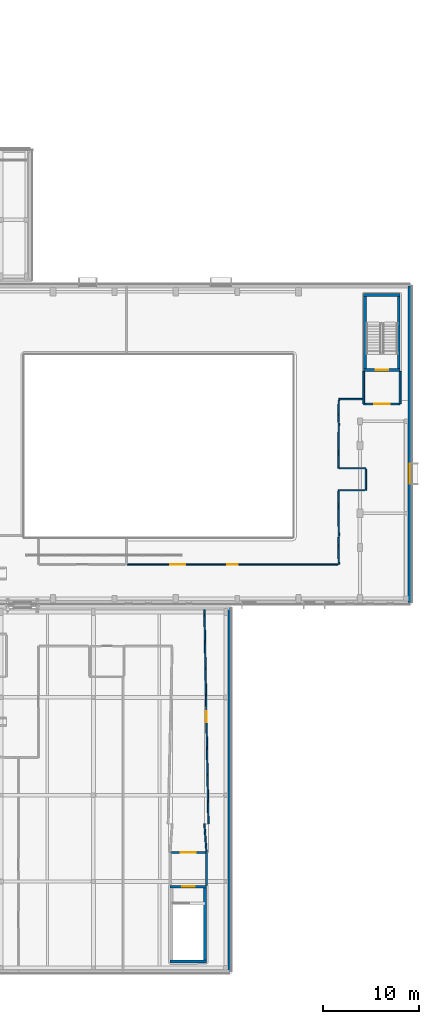
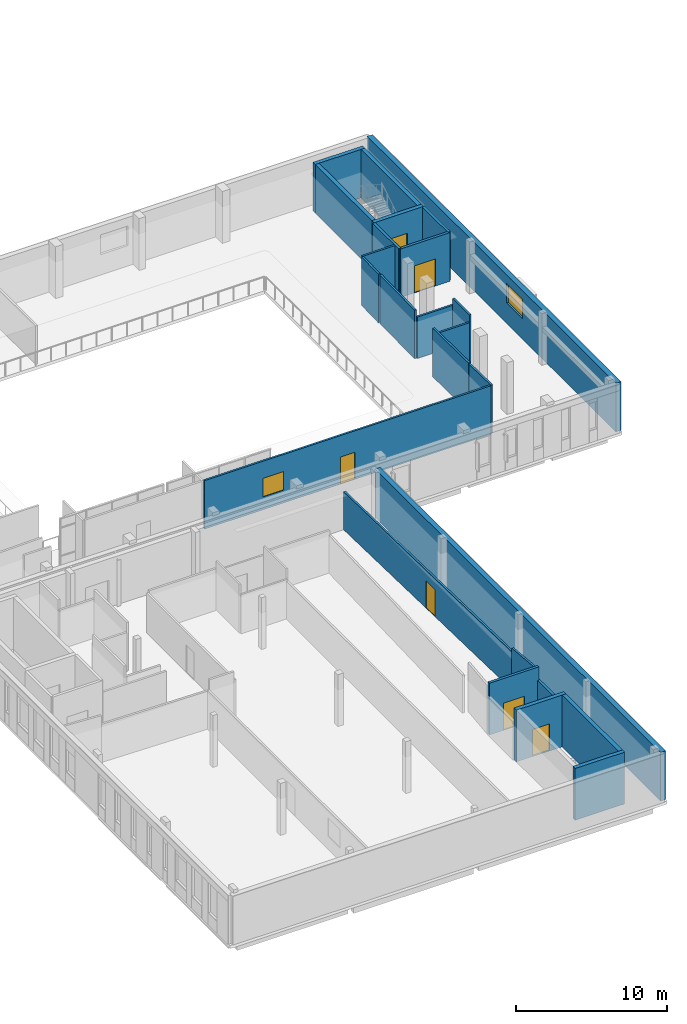
# One storey, part 55 of 84: 25 walls, 6 doors, 2 windows, 8 openings.
"""IFC4 building model written with IfcOpenShell, lengths in metres."""

from ifc_helpers import new_model, si_unit, direction, frame, frame_2d, origin, place, context, subcontext, project, spatial, rectangle, extrude, material, layer, layer_set, type_object, element, fill, save


model = new_model("IFC4")

# Units and contexts
model_context = context("Model", 3, precision=1e-05, world=origin(), true_north=direction((0.0, 1.0)))
body_context = subcontext(model_context, "Body", "Model", "MODEL_VIEW")
ifc_project = project(units=[si_unit("LENGTHUNIT", "METRE"), si_unit("AREAUNIT", "SQUARE_METRE"), si_unit("VOLUMEUNIT", "CUBIC_METRE"), si_unit("PLANEANGLEUNIT", "RADIAN"), si_unit("MASSUNIT", "GRAM", prefix="KILO")], contexts=[model_context])

# Site, building, storey
site_placement = place(None, origin())
site = spatial("IfcSite", under=ifc_project, at=site_placement, CompositionType="ELEMENT")
building_placement = place(site_placement, origin())
building = spatial("IfcBuilding", under=site, at=building_placement, Name="Mzevani Central Library", CompositionType="ELEMENT")
storey_placement = place(building_placement, frame((0.0, 0.0, 5.39990234375)))
storey = spatial("IfcBuildingStorey", under=building, at=storey_placement, Name="L01", CompositionType="ELEMENT", Elevation=5.39990234375)

# Wall
ifc_material_1 = material(Name="Concrete C35/45", Category="concrete")
ifc_layer_1 = layer(ifc_material_1, 0.199951171875, Name="Compartment Wall 200")
ifc_layer_set_1 = layer_set([ifc_layer_1], Name="Concrete C35/45")
wall_type_1 = type_object("IfcWallType", Name="Compartment Wall 200", PredefinedType="STANDARD", material=ifc_layer_set_1)
wall_1_placement = place(storey_placement, frame((159.39990234375, 66.800048828125, 0.0), z_axis=(0.0, 0.0, 1.0), x_axis=(0.0, -1.0, 0.0)))
element("IfcWall", 1, at=wall_1_placement, inside=storey, type_object=wall_type_1, Name="L01 Stair Vestibule C1B Enclosure Wall 1", PredefinedType="STANDARD", context=body_context, shape_type="SweptSolid", body=[
    extrude(rectangle(XDim=3.400146484375, YDim=0.199951171875, at=frame_2d((1.7001953125, 0.0))), origin(), (0.0, 0.0, 1.0), 3.940185546875),
])

# Wall, opening, door
wall_2_placement = place(storey_placement, frame((159.39990234375, 63.39990234375, 0.0), z_axis=(0.0, 0.0, 1.0), x_axis=(1.0, 0.0, 0.0)))
wall_2 = element("IfcWall", 2, at=wall_2_placement, inside=storey, type_object=wall_type_1, Name="L01 Stair Vestibule C1B Enclosure Wall 2", PredefinedType="STANDARD", context=body_context, shape_type="SweptSolid", body=[
    extrude(rectangle(XDim=3.800048828125, YDim=0.199951171875, at=frame_2d((1.89990234375, 0.0))), origin(), (0.0, 0.0, 1.0), 3.940185546875),
])
opening_1_placement = place(wall_2_placement, frame((1.10009765625, 0.0, 0.0)))
opening_1 = element("IfcOpeningElement", 3, at=opening_1_placement, cuts=wall_2, Name="Opening FD-02", PredefinedType="OPENING", context=body_context, shape_type="SweptSolid", body=[
    extrude(rectangle(XDim=1.60009765625, YDim=2.199951171875, at=frame_2d((0.800048828125, 1.10009765625))), frame((0.0, 0.10986328125, 0.0), z_axis=(0.0, -1.0, 0.0), x_axis=(1.0, 0.0, 0.0)), (0.0, 0.0, 1.0), 0.219970703125),
])
ifc_material_2 = material(Name="Fire-rated steel door assembly", Category="steel")
door_type_1 = type_object("IfcDoorType", Name="Fire Lobby Double Door 1600x2200", OperationType="NOTDEFINED", PredefinedType="DOOR", material=ifc_material_2)
door_1_placement = place(opening_1_placement, origin())
door_1 = element("IfcDoor", 4, at=door_1_placement, inside=storey, type_object=door_type_1, Name="L01 Stair Vestibule C1B Smoke-Control Door", OperationType="DOUBLE_DOOR_SINGLE_SWING", OverallHeight=2.199951171875, OverallWidth=1.60009765625, PredefinedType="DOOR", context=body_context, shape_type="SweptSolid", body=[
    extrude(rectangle(XDim=1.60009765625, YDim=2.199951171875, at=frame_2d((0.800048828125, 1.10009765625))), frame((0.0, 0.02490234375, 0.0), z_axis=(0.0, -1.0, 0.0), x_axis=(1.0, 0.0, 0.0)), (0.0, 0.0, 1.0), 0.050048828125),
])
fill(opening_1, door_1)

# Wall
wall_3_placement = place(storey_placement, frame((163.199951171875, 63.39990234375, 0.0), z_axis=(0.0, 0.0, 1.0), x_axis=(0.0, 1.0, 0.0)))
element("IfcWall", 5, at=wall_3_placement, inside=storey, type_object=wall_type_1, Name="L01 Stair Vestibule C1B Enclosure Wall 3", PredefinedType="STANDARD", context=body_context, shape_type="SweptSolid", body=[
    extrude(rectangle(XDim=3.400146484375, YDim=0.199951171875, at=frame_2d((1.7001953125, 0.0))), origin(), (0.0, 0.0, 1.0), 3.940185546875),
])

# Wall, opening, door
wall_4_placement = place(storey_placement, frame((139.199951171875, 16.60009765625, 0.0), z_axis=(0.0, 0.0, 1.0), x_axis=(1.0, 0.0, 0.0)))
wall_4 = element("IfcWall", 6, at=wall_4_placement, inside=storey, type_object=wall_type_1, Name="L01 Stair Vestibule C6B Enclosure Wall 2", PredefinedType="STANDARD", context=body_context, shape_type="SweptSolid", body=[
    extrude(rectangle(XDim=3.800048828125, YDim=0.199951171875, at=frame_2d((1.89990234375, 0.0))), origin(), (0.0, 0.0, 1.0), 4.2001953125),
])
opening_2_placement = place(wall_4_placement, frame((1.10009765625, 0.0, 0.0)))
opening_2 = element("IfcOpeningElement", 7, at=opening_2_placement, cuts=wall_4, Name="Opening FD-02", PredefinedType="OPENING", context=body_context, shape_type="SweptSolid", body=[
    extrude(rectangle(XDim=1.60009765625, YDim=2.199951171875, at=frame_2d((0.800048828125, 1.10009765625))), frame((0.0, 0.10986328125, 0.0), z_axis=(0.0, -1.0, 0.0), x_axis=(1.0, 0.0, 0.0)), (0.0, 0.0, 1.0), 0.219970703125),
])
door_2_placement = place(opening_2_placement, origin())
door_2 = element("IfcDoor", 8, at=door_2_placement, inside=storey, type_object=door_type_1, Name="L01 Stair Vestibule C6B Smoke-Control Door", OperationType="DOUBLE_DOOR_SINGLE_SWING", OverallHeight=2.199951171875, OverallWidth=1.60009765625, PredefinedType="DOOR", context=body_context, shape_type="SweptSolid", body=[
    extrude(rectangle(XDim=1.60009765625, YDim=2.199951171875, at=frame_2d((0.800048828125, 1.10009765625))), frame((0.0, 0.02490234375, 0.0), z_axis=(0.0, -1.0, 0.0), x_axis=(1.0, 0.0, 0.0)), (0.0, 0.0, 1.0), 0.050048828125),
])
fill(opening_2, door_2)

# Wall
wall_5_placement = place(storey_placement, frame((143.0, 16.60009765625, 0.0), z_axis=(0.0, 0.0, 1.0), x_axis=(0.0, -1.0, 0.0)))
element("IfcWall", 9, at=wall_5_placement, inside=storey, type_object=wall_type_1, Name="L01 Stair Vestibule C6B Enclosure Wall 3", PredefinedType="STANDARD", context=body_context, shape_type="SweptSolid", body=[
    extrude(rectangle(XDim=3.400146484375, YDim=0.199951171875, at=frame_2d((1.7001953125, 0.0))), origin(), (0.0, 0.0, 1.0), 3.1201171875),
])

# Wall, opening, door
ifc_material_3 = material(Name="Concrete C40/50", Category="concrete")
ifc_layer_2 = layer(ifc_material_3, 0.300048828125, Name="Core Shear Wall 300")
ifc_layer_set_2 = layer_set([ifc_layer_2], Name="Concrete C40/50")
wall_type_2 = type_object("IfcWallType", Name="Core Shear Wall 300", PredefinedType="SHEAR", material=ifc_layer_set_2)
wall_6_placement = place(storey_placement, frame((163.199951171875, 66.949951171875, 0.0), z_axis=(0.0, 0.0, 1.0), x_axis=(-1.0, 0.0, 0.0)))
wall_6 = element("IfcWall", 10, at=wall_6_placement, inside=storey, type_object=wall_type_2, Name="L01 Core C1B Reading Hall East Shear Wall (-y)", PredefinedType="SHEAR", context=body_context, shape_type="SweptSolid", body=[
    extrude(rectangle(XDim=3.800048828125, YDim=0.300048828125, at=frame_2d((1.89990234375, 0.0))), origin(), (0.0, 0.0, 1.0), 3.940185546875),
])
opening_3_placement = place(wall_6_placement, frame((1.25, 0.0, 0.0)))
opening_3 = element("IfcOpeningElement", 11, at=opening_3_placement, cuts=wall_6, Name="Opening FD-01", PredefinedType="OPENING", context=body_context, shape_type="SweptSolid", body=[
    extrude(rectangle(XDim=1.300048828125, YDim=2.199951171875, at=frame_2d((0.64990234375, 1.10009765625))), frame((0.0, 0.16015625, 0.0), z_axis=(0.0, -1.0, 0.0), x_axis=(1.0, 0.0, 0.0)), (0.0, 0.0, 1.0), 0.320068359375),
])
door_type_2 = type_object("IfcDoorType", Name="Fire Stair Door 1300x2200", OperationType="NOTDEFINED", PredefinedType="DOOR", material=ifc_material_2)
door_3_placement = place(opening_3_placement, origin())
door_3 = element("IfcDoor", 12, at=door_3_placement, inside=storey, type_object=door_type_2, Name="L01 ST-02 Protected Exit Stair Door", OperationType="SINGLE_SWING_RIGHT", OverallHeight=2.199951171875, OverallWidth=1.300048828125, PredefinedType="DOOR", context=body_context, shape_type="SweptSolid", body=[
    extrude(rectangle(XDim=1.300048828125, YDim=2.199951171875, at=frame_2d((0.64990234375, 1.10009765625))), frame((0.0, 0.02490234375, 0.0), z_axis=(0.0, -1.0, 0.0), x_axis=(1.0, 0.0, 0.0)), (0.0, 0.0, 1.0), 0.050048828125),
])
fill(opening_3, door_3)

# Walls
wall_7_placement = place(storey_placement, frame((159.550048828125, 66.800048828125, 0.0), z_axis=(0.0, 0.0, 1.0), x_axis=(0.0, 1.0, 0.0)))
element("IfcWall", 13, at=wall_7_placement, inside=storey, type_object=wall_type_2, Name="L01 Core C1B Reading Hall East Shear Wall (-x)", PredefinedType="SHEAR", context=body_context, shape_type="SweptSolid", body=[
    extrude(rectangle(XDim=8.099853515625, YDim=0.300048828125, at=frame_2d((4.0498046875, 0.0))), origin(), (0.0, 0.0, 1.0), 3.940185546875),
])
wall_8_placement = place(storey_placement, frame((159.39990234375, 74.75, 0.0), z_axis=(0.0, 0.0, 1.0), x_axis=(1.0, 0.0, 0.0)))
element("IfcWall", 14, at=wall_8_placement, inside=storey, type_object=wall_type_2, Name="L01 Core C1B Reading Hall East Shear Wall (+y)", PredefinedType="SHEAR", context=body_context, shape_type="SweptSolid", body=[
    extrude(rectangle(XDim=3.800048828125, YDim=0.300048828125, at=frame_2d((1.89990234375, 0.0))), origin(), (0.0, 0.0, 1.0), 3.940185546875),
])
wall_9_placement = place(storey_placement, frame((163.050048828125, 74.89990234375, 0.0), z_axis=(0.0, 0.0, 1.0), x_axis=(0.0, -1.0, 0.0)))
element("IfcWall", 15, at=wall_9_placement, inside=storey, type_object=wall_type_2, Name="L01 Core C1B Reading Hall East Shear Wall (+x)", PredefinedType="SHEAR", context=body_context, shape_type="SweptSolid", body=[
    extrude(rectangle(XDim=8.099853515625, YDim=0.300048828125, at=frame_2d((4.0498046875, 0.0))), origin(), (0.0, 0.0, 1.0), 3.940185546875),
])
wall_10_placement = place(storey_placement, frame((143.0, 5.25, 0.0), z_axis=(0.0, 0.0, 1.0), x_axis=(-1.0, 0.0, 0.0)))
element("IfcWall", 16, at=wall_10_placement, inside=storey, type_object=wall_type_2, Name="L01 Core C6B Children's Pavilion East Stair Shear Wall (-y)", PredefinedType="SHEAR", context=body_context, shape_type="SweptSolid", body=[
    extrude(rectangle(XDim=3.800048828125, YDim=0.300048828125, at=frame_2d((1.89990234375, 0.0))), origin(), (0.0, 0.0, 1.0), 4.2001953125),
])

# Wall, opening, door
wall_11_placement = place(storey_placement, frame((139.199951171875, 13.050048828125, 0.0), z_axis=(0.0, 0.0, 1.0), x_axis=(1.0, 0.0, 0.0)))
wall_11 = element("IfcWall", 17, at=wall_11_placement, inside=storey, type_object=wall_type_2, Name="L01 Core C6B Children's Pavilion East Stair Shear Wall (+y)", PredefinedType="SHEAR", context=body_context, shape_type="SweptSolid", body=[
    extrude(rectangle(XDim=3.800048828125, YDim=0.300048828125, at=frame_2d((1.89990234375, 0.0))), origin(), (0.0, 0.0, 1.0), 4.2001953125),
])
opening_4_placement = place(wall_11_placement, frame((1.25, 0.0, 0.0)))
opening_4 = element("IfcOpeningElement", 18, at=opening_4_placement, cuts=wall_11, Name="Opening FD-01", PredefinedType="OPENING", context=body_context, shape_type="SweptSolid", body=[
    extrude(rectangle(XDim=1.300048828125, YDim=2.199951171875, at=frame_2d((0.64990234375, 1.10009765625))), frame((0.0, 0.16015625, 0.0), z_axis=(0.0, -1.0, 0.0), x_axis=(1.0, 0.0, 0.0)), (0.0, 0.0, 1.0), 0.320068359375),
])
door_4_placement = place(opening_4_placement, origin())
door_4 = element("IfcDoor", 19, at=door_4_placement, inside=storey, type_object=door_type_2, Name="L01 ST-12 Protected Exit Stair Door", OperationType="SINGLE_SWING_LEFT", OverallHeight=2.199951171875, OverallWidth=1.300048828125, PredefinedType="DOOR", context=body_context, shape_type="SweptSolid", body=[
    extrude(rectangle(XDim=1.300048828125, YDim=2.199951171875, at=frame_2d((0.64990234375, 1.10009765625))), frame((0.0, 0.02490234375, 0.0), z_axis=(0.0, -1.0, 0.0), x_axis=(1.0, 0.0, 0.0)), (0.0, 0.0, 1.0), 0.050048828125),
])
fill(opening_4, door_4)

# Wall
wall_12_placement = place(storey_placement, frame((142.85009765625, 13.199951171875, 0.0), z_axis=(0.0, 0.0, 1.0), x_axis=(0.0, -1.0, 0.0)))
element("IfcWall", 20, at=wall_12_placement, inside=storey, type_object=wall_type_2, Name="L01 Core C6B Children's Pavilion East Stair Shear Wall (+x)", PredefinedType="SHEAR", context=body_context, shape_type="SweptSolid", body=[
    extrude(rectangle(XDim=8.099853515625, YDim=0.300048828125, at=frame_2d((4.0498046875, 0.0))), origin(), (0.0, 0.0, 1.0), 4.2001953125),
])

# Wall, opening, window
ifc_material_4 = material(Name="Precast concrete C40/50", Category="concrete")
ifc_layer_3 = layer(ifc_material_4, 0.3798828125, Name="Exterior Thermal Concrete Wall 380")
ifc_layer_set_3 = layer_set([ifc_layer_3], Name="Precast concrete C40/50")
wall_type_3 = type_object("IfcWallType", Name="Exterior Thermal Concrete Wall 380", PredefinedType="STANDARD", material=ifc_layer_set_3)
wall_13_placement = place(storey_placement, frame((164.2099609375, 75.7099609375, 0.0), z_axis=(0.0, 0.0, 1.0), x_axis=(0.0, -1.0, 0.0)))
wall_13 = element("IfcWall", 21, at=wall_13_placement, inside=storey, type_object=wall_type_3, Name="L01 V1 Exterior Thermal Wall (10)", PredefinedType="STANDARD", context=body_context, shape_type="SweptSolid", body=[
    extrude(rectangle(XDim=33.02001953125, YDim=0.3798828125, at=frame_2d((16.510009765625, 0.0))), origin(), (0.0, 0.0, 1.0), 3.940185546875),
])
opening_5_placement = place(wall_13_placement, frame((18.5205078125, 0.0, 1.64990234375)))
opening_5 = element("IfcOpeningElement", 22, at=opening_5_placement, cuts=wall_13, Name="Opening W-16", PredefinedType="OPENING", context=body_context, shape_type="SweptSolid", body=[
    extrude(rectangle(XDim=2.10009765625, YDim=1.60009765625, at=frame_2d((1.050048828125, 0.800048828125))), frame((0.0, 0.199951171875, 0.0), z_axis=(0.0, -1.0, 0.0), x_axis=(1.0, 0.0, 0.0)), (0.0, 0.0, 1.0), 0.39990234375),
])
ifc_material_5 = material(Name="Low-E triple glazing glass", Category="glass")
window_type_1 = type_object("IfcWindowType", Name="Reading Clerestory Window 2100x1600", PartitioningType="SINGLE_PANEL", PredefinedType="WINDOW", material=ifc_material_5)
window_1_placement = place(opening_5_placement, origin())
window_1 = element("IfcWindow", 23, at=window_1_placement, inside=storey, type_object=window_type_1, Name="L01 V1 Deep-Reveal Window W-16 (80)", OverallHeight=1.60009765625, OverallWidth=2.10009765625, PartitioningType="SINGLE_PANEL", PredefinedType="WINDOW", context=body_context, shape_type="SweptSolid", body=[
    extrude(rectangle(XDim=2.10009765625, YDim=1.60009765625, at=frame_2d((1.050048828125, 0.800048828125))), frame((0.0, 0.030029296875, 0.0), z_axis=(0.0, -1.0, 0.0), x_axis=(1.0, 0.0, 0.0)), (0.0, 0.0, 1.0), 0.06005859375),
])
fill(opening_5, window_1)

# Walls
wall_14_placement = place(storey_placement, frame((145.409912109375, 42.110107421875, 0.0), z_axis=(0.0, 0.0, 1.0), x_axis=(0.0, -1.0, 0.0)))
element("IfcWall", 24, at=wall_14_placement, inside=storey, type_object=wall_type_3, Name="L01 V6 Exterior Thermal Wall (109)", PredefinedType="STANDARD", context=body_context, shape_type="SweptSolid", body=[
    extrude(rectangle(XDim=37.920166015625, YDim=0.3798828125, at=frame_2d((18.9599609375, 0.0))), origin(), (0.0, 0.0, 1.0), 3.940185546875),
])
ifc_material_6 = material(Name="Fire-rated gypsum board", Category="gypsum")
ifc_layer_4 = layer(ifc_material_6, 0.14990234375, Name="Partition Study 150")
ifc_layer_set_4 = layer_set([ifc_layer_4], Name="Fire-rated gypsum board")
wall_type_4 = type_object("IfcWallType", Name="Partition Study 150", PredefinedType="PARTITIONING", material=ifc_layer_set_4)
wall_15_placement = place(storey_placement, frame((159.300048828125, 63.89990234375, 0.0), z_axis=(0.0, 0.0, 1.0), x_axis=(-1.0, 0.0, 0.0)))
element("IfcWall", 25, at=wall_15_placement, inside=storey, type_object=wall_type_4, Name="L01 V1 Partition IW-03 (212)", PredefinedType="PARTITIONING", context=body_context, shape_type="SweptSolid", body=[
    extrude(rectangle(XDim=2.5, YDim=0.14990234375, at=frame_2d((1.25, 0.0))), origin(), (0.0, 0.0, 1.0), 3.940185546875),
])
wall_16_placement = place(storey_placement, frame((156.7978515625, 63.800048828125, 0.0), z_axis=(0.0, 0.0, 1.0), x_axis=(-0.020800084529, -0.999783654839, 0.0)))
element("IfcWall", 26, at=wall_16_placement, inside=storey, type_object=wall_type_4, Name="L01 V1 Partition IW-03 (213)", PredefinedType="PARTITIONING", context=body_context, shape_type="SweptSolid", body=[
    extrude(rectangle(XDim=2.300537109375, YDim=0.14990234375, at=frame_2d((1.150390625, 0.0))), origin(), (0.0, 0.0, 1.0), 3.940185546875),
])
wall_17_placement = place(storey_placement, frame((156.799072265625, 61.39990234375, 0.0), z_axis=(0.0, 0.0, 1.0), x_axis=(-0.010440446985, -0.999945497048, 0.0)))
element("IfcWall", 27, at=wall_17_placement, inside=storey, type_object=wall_type_4, Name="L01 V1 Partition IW-03 (214)", PredefinedType="PARTITIONING", context=body_context, shape_type="SweptSolid", body=[
    extrude(rectangle(XDim=4.7001953125, YDim=0.14990234375, at=frame_2d((2.35009765625, 0.0))), origin(), (0.0, 0.0, 1.0), 3.940185546875),
])
wall_18_placement = place(storey_placement, frame((156.85009765625, 56.699951171875, 0.0), z_axis=(0.0, 0.0, 1.0), x_axis=(1.0, 0.0, 0.0)))
element("IfcWall", 28, at=wall_18_placement, inside=storey, type_object=wall_type_4, Name="L01 V1 Partition IW-03 (215)", PredefinedType="PARTITIONING", context=body_context, shape_type="SweptSolid", body=[
    extrude(rectangle(XDim=2.77001953125, YDim=0.14990234375, at=frame_2d((1.385009765625, 0.0))), origin(), (0.0, 0.0, 1.0), 3.3701171875),
])
wall_19_placement = place(storey_placement, frame((159.6201171875, 56.60009765625, 0.0), z_axis=(0.0, 0.0, 1.0), x_axis=(0.0, -1.0, 0.0)))
element("IfcWall", 29, at=wall_19_placement, inside=storey, type_object=wall_type_4, Name="L01 V1 Partition IW-03 (216)", PredefinedType="PARTITIONING", context=body_context, shape_type="SweptSolid", body=[
    extrude(rectangle(XDim=2.2001953125, YDim=0.14990234375, at=frame_2d((1.10009765625, 0.0))), origin(), (0.0, 0.0, 1.0), 3.940185546875),
])
wall_20_placement = place(storey_placement, frame((159.52001953125, 54.39990234375, 0.0), z_axis=(0.0, 0.0, 1.0), x_axis=(-1.0, 0.0, 0.0)))
element("IfcWall", 30, at=wall_20_placement, inside=storey, type_object=wall_type_4, Name="L01 V1 Partition IW-03 (217)", PredefinedType="PARTITIONING", context=body_context, shape_type="SweptSolid", body=[
    extrude(rectangle(XDim=2.77001953125, YDim=0.14990234375, at=frame_2d((1.385009765625, 0.0))), origin(), (0.0, 0.0, 1.0), 3.3701171875),
])
wall_21_placement = place(storey_placement, frame((156.7509765625, 54.300048828125, 0.0), z_axis=(0.0, 0.0, 1.0), x_axis=(0.010440446985, -0.999945497048, 0.0)))
element("IfcWall", 31, at=wall_21_placement, inside=storey, type_object=wall_type_4, Name="L01 V1 Partition IW-03 (218)", PredefinedType="PARTITIONING", context=body_context, shape_type="SweptSolid", body=[
    extrude(rectangle(XDim=4.7001953125, YDim=0.14990234375, at=frame_2d((2.35009765625, 0.0))), origin(), (0.0, 0.0, 1.0), 3.940185546875),
])
wall_22_placement = place(storey_placement, frame((156.751708984375, 49.5, 0.0), z_axis=(0.0, 0.0, 1.0), x_axis=(0.01701808012, -0.999855181988, 0.0)))
element("IfcWall", 32, at=wall_22_placement, inside=storey, type_object=wall_type_4, Name="L01 V1 Partition IW-03 (219)", PredefinedType="PARTITIONING", context=body_context, shape_type="SweptSolid", body=[
    extrude(rectangle(XDim=2.840576171875, YDim=0.14990234375, at=frame_2d((1.42041015625, 0.0))), origin(), (0.0, 0.0, 1.0), 3.940185546875),
])

# Wall, openings, window, door
wall_23_placement = place(storey_placement, frame((156.699951171875, 46.659912109375, 0.0), z_axis=(0.0, 0.0, 1.0), x_axis=(-1.0, 0.0, 0.0)))
wall_23 = element("IfcWall", 33, at=wall_23_placement, inside=storey, type_object=wall_type_4, Name="L01 V1 Partition IW-03 (220)", PredefinedType="PARTITIONING", context=body_context, shape_type="SweptSolid", body=[
    extrude(rectangle(XDim=21.96484375, YDim=0.14990234375, at=frame_2d((10.982421875, 0.0))), origin(), (0.0, 0.0, 1.0), 3.940185546875),
])
opening_6_placement = place(wall_23_placement, frame((10.4326171875, 0.0, 0.0)))
opening_6 = element("IfcOpeningElement", 34, at=opening_6_placement, cuts=wall_23, Name="Opening ID-08", PredefinedType="OPENING", context=body_context, shape_type="SweptSolid", body=[
    extrude(rectangle(XDim=1.10009765625, YDim=2.199951171875, at=frame_2d((0.550048828125, 1.10009765625))), frame((0.0, 0.0849609375, 0.0), z_axis=(0.0, -1.0, 0.0), x_axis=(1.0, 0.0, 0.0)), (0.0, 0.0, 1.0), 0.169921875),
])
opening_7_placement = place(wall_23_placement, frame((15.893310546875, 0.0, 1.050048828125)))
opening_7 = element("IfcOpeningElement", 35, at=opening_7_placement, cuts=wall_23, Name="Opening IW-W01", PredefinedType="OPENING", context=body_context, shape_type="SweptSolid", body=[
    extrude(rectangle(XDim=1.60009765625, YDim=1.5, at=frame_2d((0.800048828125, 0.75))), frame((0.0, 0.0849609375, 0.0), z_axis=(0.0, -1.0, 0.0), x_axis=(1.0, 0.0, 0.0)), (0.0, 0.0, 1.0), 0.169921875),
])
window_type_2 = type_object("IfcWindowType", Name="Interior Borrowed Light 1600x1500", PartitioningType="SINGLE_PANEL", PredefinedType="WINDOW", material=ifc_material_5)
window_2_placement = place(opening_7_placement, origin())
window_2 = element("IfcWindow", 36, at=window_2_placement, inside=storey, type_object=window_type_2, Name="L01 Collaborative Group Study Room A 4 Acoustic Borrowed Light", OverallHeight=1.5, OverallWidth=1.60009765625, PartitioningType="SINGLE_PANEL", PredefinedType="WINDOW", context=body_context, shape_type="SweptSolid", body=[
    extrude(rectangle(XDim=1.60009765625, YDim=1.5, at=frame_2d((0.800048828125, 0.75))), frame((0.0, 0.030029296875, 0.0), z_axis=(0.0, -1.0, 0.0), x_axis=(1.0, 0.0, 0.0)), (0.0, 0.0, 1.0), 0.06005859375),
])
fill(opening_7, window_2)
ifc_material_7 = material(Name="Fire-rated solid oak leaf")
door_type_3 = type_object("IfcDoorType", Name="Seminar Room Door 1100x2200", OperationType="NOTDEFINED", PredefinedType="DOOR", material=ifc_material_7)
door_5_placement = place(opening_6_placement, origin())
door_5 = element("IfcDoor", 37, at=door_5_placement, inside=storey, type_object=door_type_3, Name="L01 Collaborative Group Study Room A 4 Door", OperationType="SINGLE_SWING_LEFT", OverallHeight=2.199951171875, OverallWidth=1.10009765625, PredefinedType="DOOR", context=body_context, shape_type="SweptSolid", body=[
    extrude(rectangle(XDim=1.10009765625, YDim=2.199951171875, at=frame_2d((0.550048828125, 1.10009765625))), frame((0.0, 0.02490234375, 0.0), z_axis=(0.0, -1.0, 0.0), x_axis=(1.0, 0.0, 0.0)), (0.0, 0.0, 1.0), 0.050048828125),
])
fill(opening_6, door_5)

# Wall
wall_24_placement = place(storey_placement, frame((142.99267578125, 16.69970703125, 0.0), z_axis=(0.0, 0.0, 1.0), x_axis=(-0.073120239762, 0.997323132459, 0.0)))
element("IfcWall", 38, at=wall_24_placement, inside=storey, type_object=wall_type_4, Name="L01 V6 Partition IW-03 (361)", PredefinedType="PARTITIONING", context=body_context, shape_type="SweptSolid", body=[
    extrude(rectangle(XDim=2.908203125, YDim=0.14990234375, at=frame_2d((1.4541015625, 0.0))), origin(), (0.0, 0.0, 1.0), 3.940185546875),
])

# Wall, opening, door
wall_25_placement = place(storey_placement, frame((143.199951171875, 19.60009765625, 0.0), z_axis=(0.0, 0.0, 1.0), x_axis=(-0.018810523444, 0.999823066451, 0.0)))
wall_25 = element("IfcWall", 39, at=wall_25_placement, inside=storey, type_object=wall_type_4, Name="L01 V6 Partition IW-03 (362)", PredefinedType="PARTITIONING", context=body_context, shape_type="SweptSolid", body=[
    extrude(rectangle(XDim=22.32373046875, YDim=0.14990234375, at=frame_2d((11.161865234375, 0.0))), origin(), (0.0, 0.0, 1.0), 3.080078125),
])
opening_8_placement = place(wall_25_placement, frame((10.5869140625, 0.0, 0.0)))
opening_8 = element("IfcOpeningElement", 40, at=opening_8_placement, cuts=wall_25, Name="Opening ID-09", PredefinedType="OPENING", context=body_context, shape_type="SweptSolid", body=[
    extrude(rectangle(XDim=1.14990234375, YDim=2.199951171875, at=frame_2d((0.574951171875, 1.10009765625))), frame((0.0, 0.0849609375, 0.0), z_axis=(0.0, -1.0, 0.0), x_axis=(1.0, 0.0, 0.0)), (0.0, 0.0, 1.0), 0.169921875),
])
door_type_4 = type_object("IfcDoorType", Name="Community Room Door 1150x2200", OperationType="NOTDEFINED", PredefinedType="DOOR", material=ifc_material_7)
door_6_placement = place(opening_8_placement, origin())
door_6 = element("IfcDoor", 41, at=door_6_placement, inside=storey, type_object=door_type_4, Name="L01 Children's Arts and Craft Studio Door", OperationType="SINGLE_SWING_RIGHT", OverallHeight=2.199951171875, OverallWidth=1.14990234375, PredefinedType="DOOR", context=body_context, shape_type="SweptSolid", body=[
    extrude(rectangle(XDim=1.14990234375, YDim=2.199951171875, at=frame_2d((0.574951171875, 1.10009765625))), frame((0.0, 0.02490234375, 0.0), z_axis=(0.0, -1.0, 0.0), x_axis=(1.0, 0.0, 0.0)), (0.0, 0.0, 1.0), 0.050048828125),
])
fill(opening_8, door_6)

save(model, "model.ifc")
